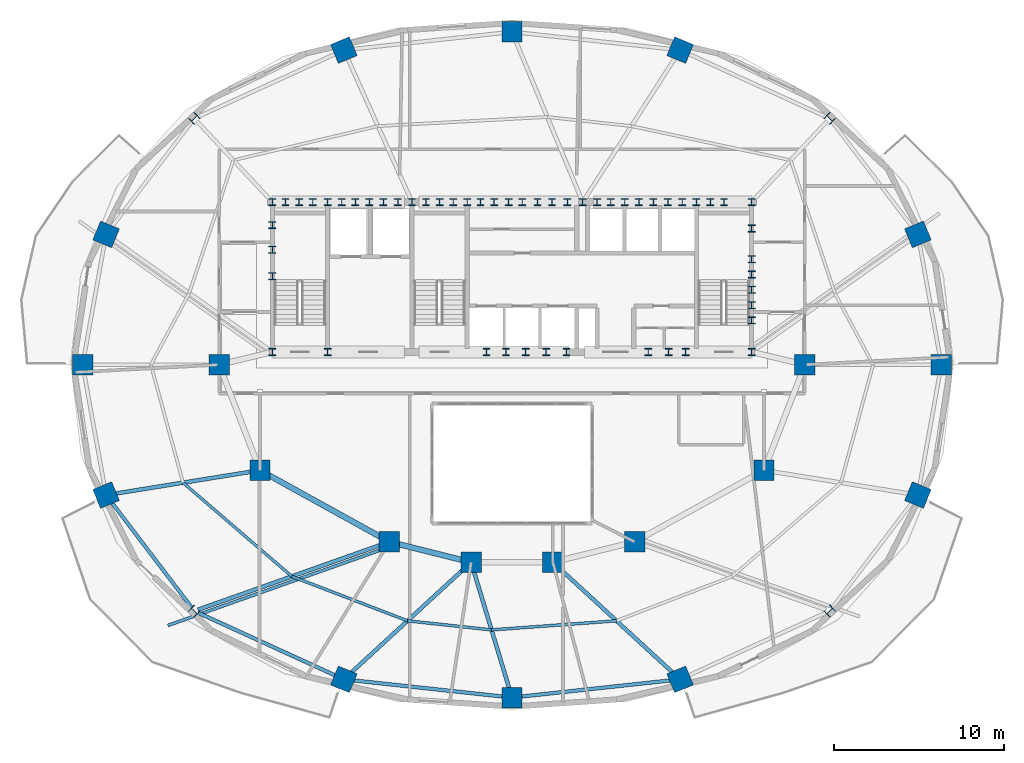
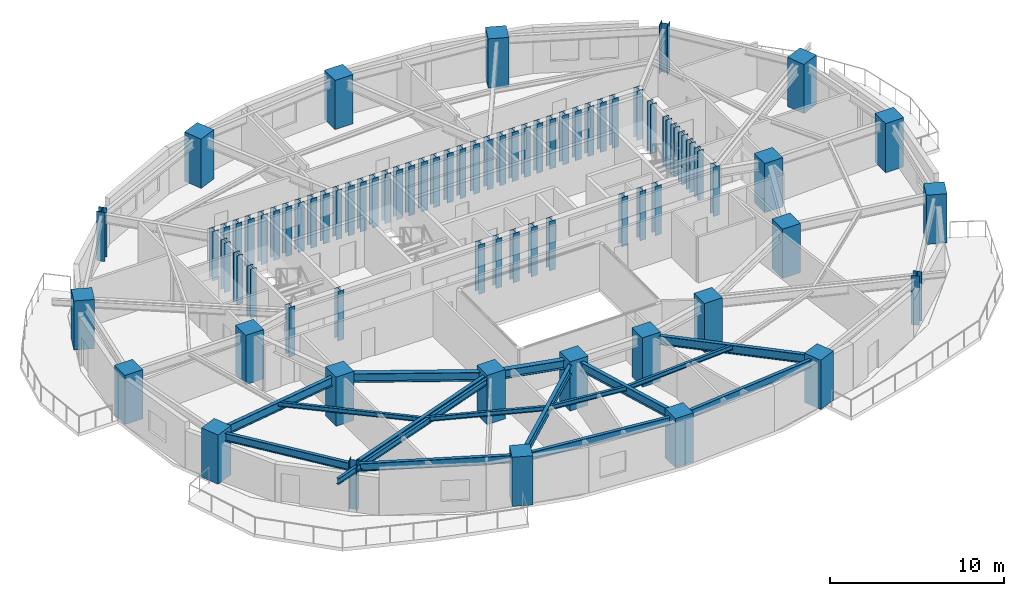
# One storey, part 1 of 11: 78 columns, 16 beams.
"""IFC4 building model written with IfcOpenShell, lengths in metres."""

import ifcopenshell
import ifcopenshell.guid

model = None  # the IFC model being written
_history = None  # IfcOwnerHistory: only IFC2X3 demands one
_inside = {}  # id of a spatial element -> (the spatial element, [elements in it])
_under = {}  # id of a project, library or spatial element -> (it, [spatial elements below it])
_declared = {}  # id of a project -> (the project, [libraries it declares])
_typed = {}  # id of a type object -> (the type object, [elements of that type])
_made_of = {}  # id of a material, layer set ... -> (it, [elements and type objects made of it])


def new_model(schema):
    """Start an empty IFC model of exactly this schema.

    Asked for "IFC4X3", IfcOpenShell would pick the latest addendum, in which some entities
    have other attributes; the version numbers below select the first issue.
    IFC2X3 requires an IfcOwnerHistory on every rooted entity: one is made here for all.
    """
    global model, _history
    if schema == "IFC4X3":
        model = ifcopenshell.file(schema_version=(4, 3, 0, 0))
    else:
        model = ifcopenshell.file(schema=schema)
    _inside.clear()
    _under.clear()
    _declared.clear()
    _typed.clear()
    _made_of.clear()
    _history = None
    if model.schema == "IFC2X3":
        org = make("IfcOrganization", Name="unknown")
        user = make(
            "IfcPersonAndOrganization",
            ThePerson=make("IfcPerson", FamilyName="unknown"),
            TheOrganization=org,
        )
        app = make(
            "IfcApplication",
            ApplicationDeveloper=org,
            Version="unknown",
            ApplicationFullName="unknown",
            ApplicationIdentifier="unknown",
        )
        _history = make(
            "IfcOwnerHistory",
            OwningUser=user,
            OwningApplication=app,
            ChangeAction="ADDED",
            CreationDate=0,
        )
    return model


def make(cls, **values):
    """One entity of the class cls with the attributes given. An attribute that is None is left unset."""
    return model.create_entity(
        cls, **{name: value for name, value in values.items() if value is not None}
    )


def rooted(cls, **values):
    """An entity with a GlobalId (a new one), such as an element, a storey or a relation."""
    return make(cls, GlobalId=ifcopenshell.guid.new(), OwnerHistory=_history, **values)


def si_unit(unit_type, name, prefix=None):
    """IfcSIUnit, for example si_unit("LENGTHUNIT", "METRE", prefix="MILLI")."""
    return make("IfcSIUnit", UnitType=unit_type, Prefix=prefix, Name=name)


def assignment(units):
    """IfcUnitAssignment: the units of a project."""
    return None if units is None else make("IfcUnitAssignment", Units=units)


def point(xyz):
    """IfcCartesianPoint."""
    return None if xyz is None else make("IfcCartesianPoint", Coordinates=xyz)


def direction(xyz):
    """IfcDirection."""
    return None if xyz is None else make("IfcDirection", DirectionRatios=xyz)


def frame(location, z_axis=None, x_axis=None):
    """IfcAxis2Placement3D, a coordinate frame: its origin and axes. An axis left out is left unset."""
    return make(
        "IfcAxis2Placement3D",
        Location=point(location),
        Axis=direction(z_axis),
        RefDirection=direction(x_axis),
    )


def frame_2d(location, x_axis=None):
    """IfcAxis2Placement2D, a coordinate frame in the plane: its origin and x axis."""
    return make(
        "IfcAxis2Placement2D", Location=point(location), RefDirection=direction(x_axis)
    )


def origin():
    """The frame at (0, 0, 0) with its axes left unset."""
    return frame((0.0, 0.0, 0.0))


def origin_2d():
    """The frame at (0, 0) in the plane with its x axis left unset."""
    return frame_2d((0.0, 0.0))


def place(relative_to, where):
    """IfcLocalPlacement: puts the frame where relative to a parent placement (None: the world)."""
    return make(
        "IfcLocalPlacement", PlacementRelTo=relative_to, RelativePlacement=where
    )


def context(
    kind, dimensions, precision=None, world=None, true_north=None, identifier=None
):
    """IfcGeometricRepresentationContext, for example the 3D "Model" context."""
    return make(
        "IfcGeometricRepresentationContext",
        ContextIdentifier=identifier,
        ContextType=kind,
        CoordinateSpaceDimension=dimensions,
        Precision=precision,
        WorldCoordinateSystem=world,
        TrueNorth=true_north,
    )


def subcontext(parent, identifier, kind, view, scale=None):
    """IfcGeometricRepresentationSubContext, for example "Body" below "Model"."""
    return make(
        "IfcGeometricRepresentationSubContext",
        ContextIdentifier=identifier,
        ContextType=kind,
        ParentContext=parent,
        TargetScale=scale,
        TargetView=view,
    )


def project(units=None, contexts=None):
    """IfcProject with its units and contexts."""
    return rooted(
        "IfcProject",
        Name="project",
        RepresentationContexts=contexts,
        UnitsInContext=assignment(units),
    )


def spatial(cls, under=None, at=None, **own):
    """A site, building, storey or space (cls), placed at a placement, below another one or the project."""
    s = rooted(cls, ObjectPlacement=at, **own)
    if under is not None:
        _under.setdefault(under.id(), (under, []))[1].append(s)
    return s


def profile(cls, at=None, kind="AREA", **sizes):
    """A parametric profile (cls). Its sizes go by their IFC names, for example OverallWidth=200.0."""
    return make(cls, ProfileType=kind, Position=at, **sizes)


def rectangle(**sizes):
    """IfcRectangleProfileDef."""
    return profile("IfcRectangleProfileDef", **sizes)


def i_section(**sizes):
    """IfcIShapeProfileDef."""
    return profile("IfcIShapeProfileDef", **sizes)


def extrude(swept, where, along, depth):
    """IfcExtrudedAreaSolid: the profile swept, set in the frame where, extruded along a direction by depth."""
    return make(
        "IfcExtrudedAreaSolid",
        SweptArea=swept,
        Position=where,
        ExtrudedDirection=direction(along),
        Depth=depth,
    )


def shape(context_of_items, identifier, shape_type, items):
    """IfcShapeRepresentation: the items that make up one representation, for example the "Body"."""
    return make(
        "IfcShapeRepresentation",
        ContextOfItems=context_of_items,
        RepresentationIdentifier=identifier,
        RepresentationType=shape_type,
        Items=items,
    )


def material(Name=None, Category=None):
    """IfcMaterial."""
    return make("IfcMaterial", Name=Name, Category=Category)


def material_profile(
    of_material, cross_section, Name=None, Category=None, Priority=None
):
    """IfcMaterialProfile: a cross section and its material."""
    return make(
        "IfcMaterialProfile",
        Name=Name,
        Material=of_material,
        Profile=cross_section,
        Priority=Priority,
        Category=Category,
    )


def profile_set(profiles, Name=None, composite=None):
    """IfcMaterialProfileSet."""
    return make(
        "IfcMaterialProfileSet",
        Name=Name,
        MaterialProfiles=profiles,
        CompositeProfile=composite,
    )


def made_of(thing, what):
    """Note that an element or type object is made of a material, layer set ...; save() writes the relation."""
    if what is not None:
        _made_of.setdefault(what.id(), (what, []))[1].append(thing)
    return thing


def type_object(cls, material=None, **own):
    """A type object (cls), such as IfcWallType, which elements share."""
    return made_of(rooted(cls, **own), material)


def element(
    cls,
    number,
    at=None,
    inside=None,
    cuts=None,
    type_object=None,
    material=None,
    context=None,
    identifier="Body",
    shape_type=None,
    held_by="IfcProductDefinitionShape",
    body=None,
    shapes=None,
    **own,
):
    """One element of the class cls, such as IfcWall. Its Tag is "e" and its number.

    at: its placement. inside: the storey or other place that contains it. cuts: it is an
    opening in that element (IfcRelVoidsElement). A single representation is given by context,
    identifier, shape_type and body (its items); several are given by shapes. held_by: the class
    of the entity that holds the representations. save() writes the other relations.
    """
    e = rooted(cls, Tag="e%d" % number, ObjectPlacement=at, **own)
    if body is not None:
        shapes = [shape(context, identifier, shape_type, body)]
    if shapes is not None:
        e.Representation = make(held_by, Representations=shapes)
    if inside is not None:
        _inside.setdefault(inside.id(), (inside, []))[1].append(e)
    if cuts is not None:
        rooted(
            "IfcRelVoidsElement", RelatingBuildingElement=cuts, RelatedOpeningElement=e
        )
    if type_object is not None:
        _typed.setdefault(type_object.id(), (type_object, []))[1].append(e)
    return made_of(e, material)


def aggregate(whole, parts):
    """IfcRelAggregates: a whole, such as a stair, and the parts it consists of."""
    return rooted("IfcRelAggregates", RelatingObject=whole, RelatedObjects=parts)


def save(model, path):
    """Write the relations noted so far, then the file.

    IfcRelAggregates (storeys below a building ...), IfcRelContainedInSpatialStructure (elements
    in a storey), IfcRelDefinesByType, IfcRelAssociatesMaterial and IfcRelDeclares: one each for
    every whole, place, type object, material and project.
    """
    for whole, parts in _under.values():
        aggregate(whole, parts)
    for where, things in _inside.values():
        rooted(
            "IfcRelContainedInSpatialStructure",
            RelatedElements=things,
            RelatingStructure=where,
        )
    for kind, things in _typed.values():
        rooted("IfcRelDefinesByType", RelatedObjects=things, RelatingType=kind)
    for what, things in _made_of.values():
        rooted("IfcRelAssociatesMaterial", RelatedObjects=things, RelatingMaterial=what)
    for by, libraries in _declared.values():
        rooted("IfcRelDeclares", RelatingContext=by, RelatedDefinitions=libraries)
    model.write(path)


model = new_model("IFC4")

# Units and contexts
model_context = context("Model", 3, precision=1e-05, world=origin(), true_north=direction((0.0, 1.0)))
body_context = subcontext(model_context, "Body", "Model", "MODEL_VIEW")
ifc_project = project(units=[si_unit("LENGTHUNIT", "METRE"), si_unit("AREAUNIT", "SQUARE_METRE"), si_unit("VOLUMEUNIT", "CUBIC_METRE"), si_unit("PLANEANGLEUNIT", "RADIAN"), si_unit("MASSUNIT", "GRAM", prefix="KILO")], contexts=[model_context])

# Site, building, storey
site_placement = place(None, origin())
site = spatial("IfcSite", under=ifc_project, at=site_placement, CompositionType="ELEMENT")
building_placement = place(site_placement, origin())
building = spatial("IfcBuilding", under=site, at=building_placement, Name="Haldorwick Loom Tower", CompositionType="ELEMENT")
storey_placement = place(building_placement, frame((0.0, 0.0, 168.25)))
storey = spatial("IfcBuildingStorey", under=building, at=storey_placement, Name="L45", CompositionType="ELEMENT", Elevation=168.25)

# Columns
ifc_material_1 = material(Name="Concrete C60 (60 MPa)", Category="concrete")
ifc_material_profile_1 = material_profile(ifc_material_1, rectangle(XDim=1.199951171875, YDim=1.199951171875, at=origin_2d()), Name="RC1200X1200", Category="concrete")
ifc_profile_set_1 = profile_set([ifc_material_profile_1], Name="Concrete C60 (60 MPa)")
column_type_1 = type_object("IfcColumnType", Name="STR-COL-RC1200", PredefinedType="COLUMN", material=ifc_profile_set_1)
for number, where, z_axis, x_axis, name in (
    (1, (53.199951171875, 26.0, 0.0), (0.0, 0.0, 1.0), (1.0, 0.0, 0.0), "L45 Inner Column IC-01"),
    (2, (50.800048828125, 19.800048828125, 0.0), (0.0, 0.0, 1.0), (1.0, 0.0, 0.0), "L45 Inner Column IC-02"),
    (3, (43.199951171875, 15.60009765625, 0.0), (0.0, 0.0, 1.0), (1.0, 0.0, 0.0), "L45 Inner Column IC-03"),
    (4, (38.39990234375, 14.39990234375, 0.0), (0.0, 0.0, 1.0), (1.0, 0.0, 0.0), "L45 Inner Column IC-04"),
    (5, (33.60009765625, 14.39990234375, 0.0), (0.0, 0.0, 1.0), (1.0, 0.0, 0.0), "L45 Inner Column IC-05"),
    (6, (28.800048828125, 15.60009765625, 0.0), (0.0, 0.0, 1.0), (1.0, 0.0, 0.0), "L45 Inner Column IC-06"),
    (7, (21.199951171875, 19.800048828125, 0.0), (0.0, 0.0, 1.0), (1.0, 0.0, 0.0), "L45 Inner Column IC-07"),
    (8, (18.800048828125, 26.0, 0.0), (0.0, 0.0, 1.0), (1.0, 0.0, 0.0), "L45 Inner Column IC-08"),
    (9, (61.217041015625, 26.0, 0.0), (0.0, 0.0, 1.0), (1.0, 0.0, 0.0), "L45 Perimeter Pier Column P01"),
    (10, (59.836181640625, 33.65380859375, 0.0), (0.0, 0.0, 1.0), (0.923879532511, 0.382683432365, 0.0), "L45 Perimeter Pier Column P02"),
    (11, (45.873291015625, 44.4775390625, 0.0), (0.0, 0.0, 1.0), (0.382683432365, 0.923879532511, 0.0), "L45 Perimeter Pier Column P04"),
    (12, (36.0, 45.544677734375, 0.0), (0.0, 0.0, 1.0), (0.0, 1.0, 0.0), "L45 Perimeter Pier Column P05"),
    (13, (26.126708984375, 44.4775390625, 0.0), (0.0, 0.0, 1.0), (-0.382683432365, 0.923879532511, 0.0), "L45 Perimeter Pier Column P06"),
    (14, (12.163818359375, 33.65380859375, 0.0), (0.0, 0.0, 1.0), (-0.923879532511, 0.382683432365, 0.0), "L45 Perimeter Pier Column P08"),
    (15, (10.782958984375, 26.0, 0.0), (0.0, 0.0, 1.0), (-1.0, 0.0, 0.0), "L45 Perimeter Pier Column P09"),
    (16, (12.163818359375, 18.34619140625, 0.0), (0.0, 0.0, 1.0), (-0.923879532511, -0.382683432365, 0.0), "L45 Perimeter Pier Column P10"),
    (17, (26.126708984375, 7.5224609375, 0.0), (0.0, 0.0, 1.0), (-0.382683432365, -0.923879532511, 0.0), "L45 Perimeter Pier Column P12"),
    (18, (36.0, 6.455322265625, 0.0), (0.0, 0.0, 1.0), (0.0, -1.0, 0.0), "L45 Perimeter Pier Column P13"),
    (19, (45.873291015625, 7.5224609375, 0.0), (0.0, 0.0, 1.0), (0.382683432365, -0.923879532511, 0.0), "L45 Perimeter Pier Column P14"),
    (20, (59.836181640625, 18.34619140625, 0.0), (0.0, 0.0, 1.0), (0.923879532511, -0.382683432365, 0.0), "L45 Perimeter Pier Column P16"),
):
    element("IfcColumn", number, at=place(storey_placement, frame(where, z_axis=z_axis, x_axis=x_axis)), inside=storey, type_object=column_type_1, Name=name, PredefinedType="COLUMN", context=body_context, shape_type="SweptSolid", body=[
        extrude(rectangle(XDim=1.199951171875, YDim=1.199951171875, at=origin_2d()), origin(), (0.0, 0.0, 1.0), 3.449951171875),
    ])
ifc_material_2 = material(Name="Steel CSA G40.21 350W", Category="steel")
ifc_material_profile_2 = material_profile(ifc_material_2, i_section(OverallWidth=0.406005859375, OverallDepth=0.416015625, WebThickness=0.024169921875, FlangeThickness=0.03857421875, at=origin_2d()), Name="W360X382", Category="steel")
ifc_profile_set_2 = profile_set([ifc_material_profile_2], Name="Steel CSA G40.21 350W")
column_type_2 = type_object("IfcColumnType", Name="STR-COL-W360X382", PredefinedType="COLUMN", material=ifc_profile_set_2)
for number, where, z_axis, x_axis, name in (
    (21, (21.929931640625, 35.550048828125, 0.0), (0.0, 0.0, 1.0), (1.0, 0.0, 0.0), "L45 Core Pilaster CB-01"),
    (22, (23.5, 35.550048828125, 0.0), (0.0, 0.0, 1.0), (1.0, 0.0, 0.0), "L45 Core Pilaster CB-02"),
    (23, (25.169921875, 35.550048828125, 0.0), (0.0, 0.0, 1.0), (1.0, 0.0, 0.0), "L45 Core Pilaster CB-03"),
    (24, (26.800048828125, 35.550048828125, 0.0), (0.0, 0.0, 1.0), (1.0, 0.0, 0.0), "L45 Core Pilaster CB-04"),
    (25, (28.449951171875, 35.550048828125, 0.0), (0.0, 0.0, 1.0), (1.0, 0.0, 0.0), "L45 Core Pilaster CB-05"),
    (26, (30.1298828125, 35.550048828125, 0.0), (0.0, 0.0, 1.0), (1.0, 0.0, 0.0), "L45 Core Pilaster CB-06"),
    (27, (31.75, 35.550048828125, 0.0), (0.0, 0.0, 1.0), (1.0, 0.0, 0.0), "L45 Core Pilaster CB-07"),
    (28, (33.3701171875, 35.550048828125, 0.0), (0.0, 0.0, 1.0), (1.0, 0.0, 0.0), "L45 Core Pilaster CB-08"),
    (29, (34.949951171875, 35.550048828125, 0.0), (0.0, 0.0, 1.0), (1.0, 0.0, 0.0), "L45 Core Pilaster CB-09"),
    (30, (36.60009765625, 35.550048828125, 0.0), (0.0, 0.0, 1.0), (1.0, 0.0, 0.0), "L45 Core Pilaster CB-10"),
    (31, (38.35009765625, 35.550048828125, 0.0), (0.0, 0.0, 1.0), (1.0, 0.0, 0.0), "L45 Core Pilaster CB-11"),
    (32, (40.14990234375, 35.550048828125, 0.0), (0.0, 0.0, 1.0), (1.0, 0.0, 0.0), "L45 Core Pilaster CB-12"),
    (33, (41.800048828125, 35.550048828125, 0.0), (0.0, 0.0, 1.0), (1.0, 0.0, 0.0), "L45 Core Pilaster CB-13"),
    (34, (43.449951171875, 35.550048828125, 0.0), (0.0, 0.0, 1.0), (1.0, 0.0, 0.0), "L45 Core Pilaster CB-14"),
    (35, (45.14990234375, 35.550048828125, 0.0), (0.0, 0.0, 1.0), (1.0, 0.0, 0.0), "L45 Core Pilaster CB-15"),
    (36, (46.830078125, 35.550048828125, 0.0), (0.0, 0.0, 1.0), (1.0, 0.0, 0.0), "L45 Core Pilaster CB-16"),
    (37, (48.449951171875, 35.550048828125, 0.0), (0.0, 0.0, 1.0), (1.0, 0.0, 0.0), "L45 Core Pilaster CB-17"),
    (38, (50.070068359375, 35.550048828125, 0.0), (0.0, 0.0, 1.0), (1.0, 0.0, 0.0), "L45 Core Pilaster CB-18"),
    (39, (21.929931640625, 26.75, 0.0), (0.0, 0.0, 1.0), (1.0, 0.0, 0.0), "L45 Core Pilaster CB-19"),
    (40, (25.169921875, 26.75, 0.0), (0.0, 0.0, 1.0), (1.0, 0.0, 0.0), "L45 Core Pilaster CB-20"),
    (41, (34.5, 26.75, 0.0), (0.0, 0.0, 1.0), (1.0, 0.0, 0.0), "L45 Core Pilaster CB-21"),
    (42, (36.800048828125, 26.75, 0.0), (0.0, 0.0, 1.0), (1.0, 0.0, 0.0), "L45 Core Pilaster CB-22"),
    (43, (39.199951171875, 26.75, 0.0), (0.0, 0.0, 1.0), (1.0, 0.0, 0.0), "L45 Core Pilaster CB-23"),
    (44, (45.199951171875, 26.75, 0.0), (0.0, 0.0, 1.0), (1.0, 0.0, 0.0), "L45 Core Pilaster CB-24"),
    (45, (50.070068359375, 26.75, 0.0), (0.0, 0.0, 1.0), (1.0, 0.0, 0.0), "L45 Core Pilaster CB-25"),
    (46, (21.929931640625, 31.199951171875, 0.0), (0.0, 0.0, 1.0), (1.0, 0.0, 0.0), "L45 Core Pilaster CB-26"),
    (47, (21.929931640625, 32.75, 0.0), (0.0, 0.0, 1.0), (1.0, 0.0, 0.0), "L45 Core Pilaster CB-27"),
    (48, (21.929931640625, 34.199951171875, 0.0), (0.0, 0.0, 1.0), (1.0, 0.0, 0.0), "L45 Core Pilaster CB-28"),
    (49, (50.070068359375, 28.60009765625, 0.0), (0.0, 0.0, 1.0), (1.0, 0.0, 0.0), "L45 Core Pilaster CB-29"),
    (50, (50.070068359375, 30.39990234375, 0.0), (0.0, 0.0, 1.0), (1.0, 0.0, 0.0), "L45 Core Pilaster CB-30"),
    (51, (50.070068359375, 32.199951171875, 0.0), (0.0, 0.0, 1.0), (1.0, 0.0, 0.0), "L45 Core Pilaster CB-31"),
    (52, (50.070068359375, 34.0, 0.0), (0.0, 0.0, 1.0), (1.0, 0.0, 0.0), "L45 Core Pilaster CB-32"),
    (53, (22.699951171875, 35.550048828125, 0.0), (0.0, 0.0, 1.0), (1.0, 0.0, 0.0), "L45 Core Pilaster CB-33"),
    (54, (27.6201171875, 35.550048828125, 0.0), (0.0, 0.0, 1.0), (1.0, 0.0, 0.0), "L45 Core Pilaster CB-34"),
    (55, (32.550048828125, 35.550048828125, 0.0), (0.0, 0.0, 1.0), (1.0, 0.0, 0.0), "L45 Core Pilaster CB-35"),
    (56, (37.5, 35.550048828125, 0.0), (0.0, 0.0, 1.0), (1.0, 0.0, 0.0), "L45 Core Pilaster CB-36"),
    (57, (42.6201171875, 35.550048828125, 0.0), (0.0, 0.0, 1.0), (1.0, 0.0, 0.0), "L45 Core Pilaster CB-37"),
    (58, (47.64990234375, 35.550048828125, 0.0), (0.0, 0.0, 1.0), (1.0, 0.0, 0.0), "L45 Core Pilaster CB-38"),
    (59, (24.300048828125, 35.550048828125, 0.0), (0.0, 0.0, 1.0), (1.0, 0.0, 0.0), "L45 Core Pilaster CB-39"),
    (60, (26.0, 35.550048828125, 0.0), (0.0, 0.0, 1.0), (1.0, 0.0, 0.0), "L45 Core Pilaster CB-40"),
    (61, (29.300048828125, 35.550048828125, 0.0), (0.0, 0.0, 1.0), (1.0, 0.0, 0.0), "L45 Core Pilaster CB-41"),
    (62, (30.949951171875, 35.550048828125, 0.0), (0.0, 0.0, 1.0), (1.0, 0.0, 0.0), "L45 Core Pilaster CB-42"),
    (63, (34.14990234375, 35.550048828125, 0.0), (0.0, 0.0, 1.0), (1.0, 0.0, 0.0), "L45 Core Pilaster CB-43"),
    (64, (35.800048828125, 35.550048828125, 0.0), (0.0, 0.0, 1.0), (1.0, 0.0, 0.0), "L45 Core Pilaster CB-44"),
    (65, (39.25, 35.550048828125, 0.0), (0.0, 0.0, 1.0), (1.0, 0.0, 0.0), "L45 Core Pilaster CB-45"),
    (66, (41.0, 35.550048828125, 0.0), (0.0, 0.0, 1.0), (1.0, 0.0, 0.0), "L45 Core Pilaster CB-46"),
    (67, (44.300048828125, 35.550048828125, 0.0), (0.0, 0.0, 1.0), (1.0, 0.0, 0.0), "L45 Core Pilaster CB-47"),
    (68, (46.0, 35.550048828125, 0.0), (0.0, 0.0, 1.0), (1.0, 0.0, 0.0), "L45 Core Pilaster CB-48"),
    (69, (50.070068359375, 29.5, 0.0), (0.0, 0.0, 1.0), (1.0, 0.0, 0.0), "L45 Core Pilaster CB-49"),
    (70, (50.070068359375, 31.300048828125, 0.0), (0.0, 0.0, 1.0), (1.0, 0.0, 0.0), "L45 Core Pilaster CB-50"),
    (71, (35.64990234375, 26.75, 0.0), (0.0, 0.0, 1.0), (1.0, 0.0, 0.0), "L45 Core Pilaster CB-51"),
    (72, (38.0, 26.75, 0.0), (0.0, 0.0, 1.0), (1.0, 0.0, 0.0), "L45 Core Pilaster CB-52"),
    (73, (44.0, 26.75, 0.0), (0.0, 0.0, 1.0), (1.0, 0.0, 0.0), "L45 Core Pilaster CB-53"),
    (74, (46.199951171875, 26.75, 0.0), (0.0, 0.0, 1.0), (1.0, 0.0, 0.0), "L45 Core Pilaster CB-54"),
):
    element("IfcColumn", number, at=place(storey_placement, frame(where, z_axis=z_axis, x_axis=x_axis)), inside=storey, type_object=column_type_2, Name=name, PredefinedType="COLUMN", context=body_context, shape_type="SweptSolid", body=[
        extrude(i_section(OverallWidth=0.406005859375, OverallDepth=0.416015625, WebThickness=0.024169921875, FlangeThickness=0.03857421875, at=origin_2d()), origin(), (0.0, 0.0, 1.0), 3.449951171875),
    ])
ifc_material_3 = material(Name="Steel CSA G40.21 350WT", Category="steel")
ifc_material_profile_3 = material_profile(ifc_material_3, i_section(OverallWidth=0.5, OverallDepth=0.5, WebThickness=0.02197265625, FlangeThickness=0.031982421875, at=origin_2d()), Name="WWF500X500", Category="steel")
ifc_profile_set_3 = profile_set([ifc_material_profile_3], Name="Steel CSA G40.21 350WT")
column_type_3 = type_object("IfcColumnType", Name="STR-COL-WWF500", PredefinedType="COLUMN", material=ifc_profile_set_3)
for number, where, z_axis, x_axis, name in (
    (75, (54.655517578125, 40.464111328125, 0.0), (0.0, 0.0, 1.0), (0.707106781187, 0.707106781187, 0.0), "L45 Perimeter Pier Column P03"),
    (76, (17.344482421875, 40.464111328125, 0.0), (0.0, 0.0, 1.0), (-0.707106781187, 0.707106781187, 0.0), "L45 Perimeter Pier Column P07"),
    (77, (17.344482421875, 11.535888671875, 0.0), (0.0, 0.0, 1.0), (-0.707106781187, -0.707106781187, 0.0), "L45 Perimeter Pier Column P11"),
    (78, (54.655517578125, 11.535888671875, 0.0), (0.0, 0.0, 1.0), (0.707106781187, -0.707106781187, 0.0), "L45 Perimeter Pier Column P15"),
):
    element("IfcColumn", number, at=place(storey_placement, frame(where, z_axis=z_axis, x_axis=x_axis)), inside=storey, type_object=column_type_3, Name=name, PredefinedType="COLUMN", context=body_context, shape_type="SweptSolid", body=[
        extrude(i_section(OverallWidth=0.5, OverallDepth=0.5, WebThickness=0.02197265625, FlangeThickness=0.031982421875, at=origin_2d()), origin(), (0.0, 0.0, 1.0), 3.449951171875),
    ])

# Beams
ifc_material_profile_4 = material_profile(ifc_material_2, i_section(OverallWidth=0.179931640625, OverallDepth=0.4130859375, WebThickness=0.009765625, FlangeThickness=0.01611328125, at=origin_2d()), Name="W410X74", Category="steel")
ifc_profile_set_4 = profile_set([ifc_material_profile_4], Name="Steel CSA G40.21 350W")
beam_type_1 = type_object("IfcBeamType", Name="STR-BM-BAL410", PredefinedType="BEAM", material=ifc_profile_set_4)
beam_1_placement = place(storey_placement, frame((28.403564453125, 15.162109375, 3.00341796875), z_axis=(-0.942447955832, -0.334352883266, 0.0), x_axis=(0.334352883266, -0.942447955832, 0.0)))
element("IfcBeam", 79, at=beam_1_placement, inside=storey, type_object=beam_type_1, Name="L45 Continuous Back-Spanned Balcony Beam 2", PredefinedType="BEAM", context=body_context, shape_type="SweptSolid", body=[
    extrude(i_section(OverallWidth=0.179931640625, OverallDepth=0.4130859375, WebThickness=0.009765625, FlangeThickness=0.01611328125, at=origin_2d()), origin(), (0.0, 0.0, 1.0), 13.385009765625),
])
ifc_material_profile_5 = material_profile(ifc_material_2, i_section(OverallWidth=0.166015625, OverallDepth=0.31298828125, WebThickness=0.006591796875, FlangeThickness=0.01123046875, at=origin_2d()), Name="W310X45", Category="steel")
ifc_profile_set_5 = profile_set([ifc_material_profile_5], Name="Steel CSA G40.21 350W")
beam_type_2 = type_object("IfcBeamType", Name="STR-BM-J310", PredefinedType="JOIST", material=ifc_profile_set_5)
beam_2_placement = place(storey_placement, frame((16.681884765625, 19.072998046875, 3.053466796875), z_axis=(0.75763401328, -0.652679631918, 0.0), x_axis=(0.652679631918, 0.75763401328, 0.0)))
element("IfcBeam", 80, at=beam_2_placement, inside=storey, type_object=beam_type_2, Name="L45 Mid-Bay Secondary Joist 10", PredefinedType="JOIST", context=body_context, shape_type="SweptSolid", body=[
    extrude(i_section(OverallWidth=0.166015625, OverallDepth=0.31298828125, WebThickness=0.006591796875, FlangeThickness=0.01123046875, at=origin_2d()), origin(), (0.0, 0.0, 1.0), 8.4345703125),
])
beam_3_placement = place(storey_placement, frame((23.072265625, 13.56787109375, 3.053466796875), z_axis=(0.933586737031, -0.358351509609, 0.0), x_axis=(0.358351509609, 0.933586737031, 0.0)))
element("IfcBeam", 81, at=beam_3_placement, inside=storey, type_object=beam_type_2, Name="L45 Mid-Bay Secondary Joist 11", PredefinedType="JOIST", context=body_context, shape_type="SweptSolid", body=[
    extrude(i_section(OverallWidth=0.166015625, OverallDepth=0.31298828125, WebThickness=0.006591796875, FlangeThickness=0.01123046875, at=origin_2d()), origin(), (0.0, 0.0, 1.0), 7.274169921875),
])
beam_4_placement = place(storey_placement, frame((29.86328125, 10.961181640625, 3.053466796875), z_axis=(0.994212584227, -0.107430616514, 0.0), x_axis=(0.107430616514, 0.994212584227, 0.0)))
element("IfcBeam", 82, at=beam_4_placement, inside=storey, type_object=beam_type_2, Name="L45 Mid-Bay Secondary Joist 12", PredefinedType="JOIST", context=body_context, shape_type="SweptSolid", body=[
    extrude(i_section(OverallWidth=0.166015625, OverallDepth=0.31298828125, WebThickness=0.006591796875, FlangeThickness=0.01123046875, at=origin_2d()), origin(), (0.0, 0.0, 1.0), 4.965576171875),
])
beam_5_placement = place(storey_placement, frame((34.800048828125, 10.427734375, 3.053466796875), z_axis=(0.997367082818, 0.072518288109, 0.0), x_axis=(-0.072518288109, 0.997367082818, 0.0)))
element("IfcBeam", 83, at=beam_5_placement, inside=storey, type_object=beam_type_2, Name="L45 Mid-Bay Secondary Joist 13", PredefinedType="JOIST", context=body_context, shape_type="SweptSolid", body=[
    extrude(i_section(OverallWidth=0.166015625, OverallDepth=0.31298828125, WebThickness=0.006591796875, FlangeThickness=0.01123046875, at=origin_2d()), origin(), (0.0, 0.0, 1.0), 7.35595703125),
])
ifc_material_profile_6 = material_profile(ifc_material_2, i_section(OverallWidth=0.2119140625, OverallDepth=0.5439453125, WebThickness=0.01318359375, FlangeThickness=0.021240234375, at=origin_2d()), Name="W530X123", Category="steel")
ifc_profile_set_6 = profile_set([ifc_material_profile_6], Name="Steel CSA G40.21 350W")
beam_type_3 = type_object("IfcBeamType", Name="STR-BM-SP530", PredefinedType="SPANDREL", material=ifc_profile_set_6)
beam_6_placement = place(storey_placement, frame((12.478759765625, 17.932373046875, 2.93798828125), z_axis=(0.605421569293, -0.79590497136, 0.0), x_axis=(0.79590497136, 0.605421569293, 0.0)))
element("IfcBeam", 84, at=beam_6_placement, inside=storey, type_object=beam_type_3, Name="L45 Perimeter Spandrel 10", PredefinedType="SPANDREL", context=body_context, shape_type="SweptSolid", body=[
    extrude(i_section(OverallWidth=0.2119140625, OverallDepth=0.5439453125, WebThickness=0.01318359375, FlangeThickness=0.021240234375, at=origin_2d()), origin(), (0.0, 0.0, 1.0), 7.81201171875),
])
beam_7_placement = place(storey_placement, frame((17.549072265625, 11.4423828125, 2.93798828125), z_axis=(0.909523899848, -0.415651627695, 0.0), x_axis=(0.415651627695, 0.909523899848, 0.0)))
element("IfcBeam", 85, at=beam_7_placement, inside=storey, type_object=beam_type_3, Name="L45 Perimeter Spandrel 11", PredefinedType="SPANDREL", context=body_context, shape_type="SweptSolid", body=[
    extrude(i_section(OverallWidth=0.2119140625, OverallDepth=0.5439453125, WebThickness=0.01318359375, FlangeThickness=0.021240234375, at=origin_2d()), origin(), (0.0, 0.0, 1.0), 8.910888671875),
])
for number, where, z_axis, x_axis, name in (
    (86, (26.643798828125, 7.466552734375, 2.93798828125), (0.994210140187, -0.107453232386, 0.0), (0.107453232386, 0.994210140187, 0.0), "L45 Perimeter Spandrel 12"),
    (87, (36.51708984375, 6.51123046875, 2.93798828125), (0.994210140187, 0.107453232386, 0.0), (-0.107453232386, 0.994210140187, 0.0), "L45 Perimeter Spandrel 13"),
):
    element("IfcBeam", number, at=place(storey_placement, frame(where, z_axis=z_axis, x_axis=x_axis)), inside=storey, type_object=beam_type_3, Name=name, PredefinedType="SPANDREL", context=body_context, shape_type="SweptSolid", body=[
        extrude(i_section(OverallWidth=0.2119140625, OverallDepth=0.5439453125, WebThickness=0.01318359375, FlangeThickness=0.021240234375, at=origin_2d()), origin(), (0.0, 0.0, 1.0), 8.890625),
    ])
ifc_material_profile_7 = material_profile(ifc_material_2, i_section(OverallWidth=0.324951171875, OverallDepth=0.615966796875, WebThickness=0.013916015625, FlangeThickness=0.021484375, at=origin_2d()), Name="W610X174", Category="steel")
ifc_profile_set_7 = profile_set([ifc_material_profile_7], Name="Steel CSA G40.21 350W")
beam_type_4 = type_object("IfcBeamType", Name="STR-BM-W610A", PredefinedType="BEAM", material=ifc_profile_set_7)
beam_8_placement = place(storey_placement, frame((33.095458984375, 14.526123046875, 2.902099609375), z_axis=(-0.970142500145, 0.242535625036, 0.0), x_axis=(-0.242535625036, -0.970142500145, 0.0)))
element("IfcBeam", 88, at=beam_8_placement, inside=storey, type_object=beam_type_4, Name="L45 Inner Ring Girder 6", PredefinedType="BEAM", context=body_context, shape_type="SweptSolid", body=[
    extrude(i_section(OverallWidth=0.324951171875, OverallDepth=0.615966796875, WebThickness=0.013916015625, FlangeThickness=0.021484375, at=origin_2d()), origin(), (0.0, 0.0, 1.0), 3.90771484375),
])
beam_9_placement = place(storey_placement, frame((28.344970703125, 15.8515625, 2.902099609375), z_axis=(-0.875244382146, 0.483680960471, 0.0), x_axis=(-0.483680960471, -0.875244382146, 0.0)))
element("IfcBeam", 89, at=beam_9_placement, inside=storey, type_object=beam_type_4, Name="L45 Inner Ring Girder 7", PredefinedType="BEAM", context=body_context, shape_type="SweptSolid", body=[
    extrude(i_section(OverallWidth=0.324951171875, OverallDepth=0.615966796875, WebThickness=0.013916015625, FlangeThickness=0.021484375, at=origin_2d()), origin(), (0.0, 0.0, 1.0), 7.6435546875),
])
ifc_material_profile_8 = material_profile(ifc_material_2, i_section(OverallWidth=0.22998046875, OverallDepth=0.616943359375, WebThickness=0.01318359375, FlangeThickness=0.022216796875, at=origin_2d()), Name="W610X140", Category="steel")
ifc_profile_set_8 = profile_set([ifc_material_profile_8], Name="Steel CSA G40.21 350W")
beam_type_5 = type_object("IfcBeamType", Name="STR-BM-W610B", PredefinedType="BEAM", material=ifc_profile_set_8)
beam_10_placement = place(storey_placement, frame((20.6865234375, 19.71728515625, 2.901611328125), z_axis=(-0.987308639475, -0.158813256432, 0.0), x_axis=(0.158813256432, -0.987308639475, 0.0)))
element("IfcBeam", 90, at=beam_10_placement, inside=storey, type_object=beam_type_5, Name="L45 Radial Floor Girder 10", PredefinedType="BEAM", context=body_context, shape_type="SweptSolid", body=[
    extrude(i_section(OverallWidth=0.22998046875, OverallDepth=0.616943359375, WebThickness=0.01318359375, FlangeThickness=0.022216796875, at=origin_2d()), origin(), (0.0, 0.0, 1.0), 8.1123046875),
])
beam_11_placement = place(storey_placement, frame((28.309814453125, 15.426025390625, 2.901611328125), z_axis=(-0.942449496381, -0.334348540854, 0.0), x_axis=(0.334348540854, -0.942449496381, 0.0)))
element("IfcBeam", 91, at=beam_11_placement, inside=storey, type_object=beam_type_5, Name="L45 Radial Floor Girder 11", PredefinedType="BEAM", context=body_context, shape_type="SweptSolid", body=[
    extrude(i_section(OverallWidth=0.22998046875, OverallDepth=0.616943359375, WebThickness=0.01318359375, FlangeThickness=0.022216796875, at=origin_2d()), origin(), (0.0, 0.0, 1.0), 11.41015625),
])
beam_12_placement = place(storey_placement, frame((33.21728515625, 14.0478515625, 2.901611328125), z_axis=(-0.735810902934, -0.677187060658, 0.0), x_axis=(0.677187060658, -0.735810902934, 0.0)))
element("IfcBeam", 92, at=beam_12_placement, inside=storey, type_object=beam_type_5, Name="L45 Radial Floor Girder 12", PredefinedType="BEAM", context=body_context, shape_type="SweptSolid", body=[
    extrude(i_section(OverallWidth=0.22998046875, OverallDepth=0.616943359375, WebThickness=0.01318359375, FlangeThickness=0.022216796875, at=origin_2d()), origin(), (0.0, 0.0, 1.0), 9.1162109375),
])
beam_13_placement = place(storey_placement, frame((33.75048828125, 13.902099609375, 2.901611328125), z_axis=(0.28917091681, -0.957277483738, 0.0), x_axis=(0.957277483738, 0.28917091681, 0.0)))
element("IfcBeam", 93, at=beam_13_placement, inside=storey, type_object=beam_type_5, Name="L45 Radial Floor Girder 13", PredefinedType="BEAM", context=body_context, shape_type="SweptSolid", body=[
    extrude(i_section(OverallWidth=0.22998046875, OverallDepth=0.616943359375, WebThickness=0.01318359375, FlangeThickness=0.022216796875, at=origin_2d()), origin(), (0.0, 0.0, 1.0), 7.259033203125),
])
beam_14_placement = place(storey_placement, frame((38.78271484375, 14.0478515625, 2.901611328125), z_axis=(0.735810902934, -0.677187060658, 0.0), x_axis=(0.677187060658, 0.735810902934, 0.0)))
element("IfcBeam", 94, at=beam_14_placement, inside=storey, type_object=beam_type_5, Name="L45 Radial Floor Girder 14", PredefinedType="BEAM", context=body_context, shape_type="SweptSolid", body=[
    extrude(i_section(OverallWidth=0.22998046875, OverallDepth=0.616943359375, WebThickness=0.01318359375, FlangeThickness=0.022216796875, at=origin_2d()), origin(), (0.0, 0.0, 1.0), 9.1162109375),
])

save(model, "model.ifc")
